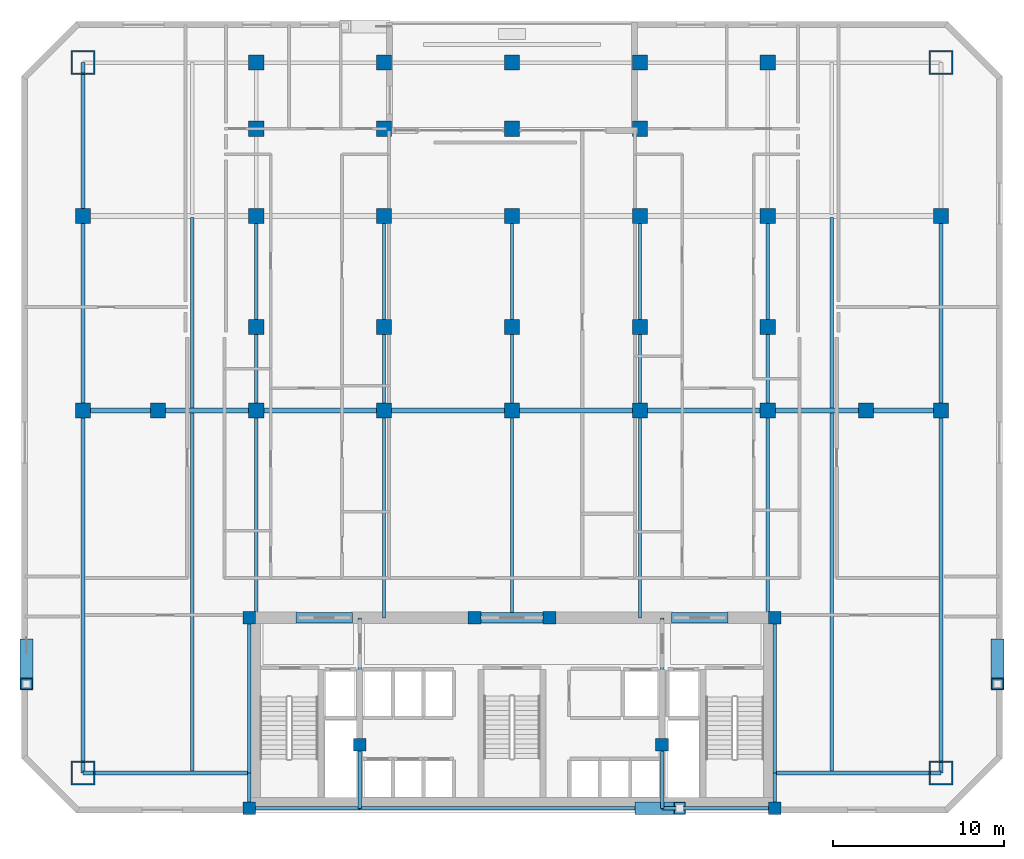
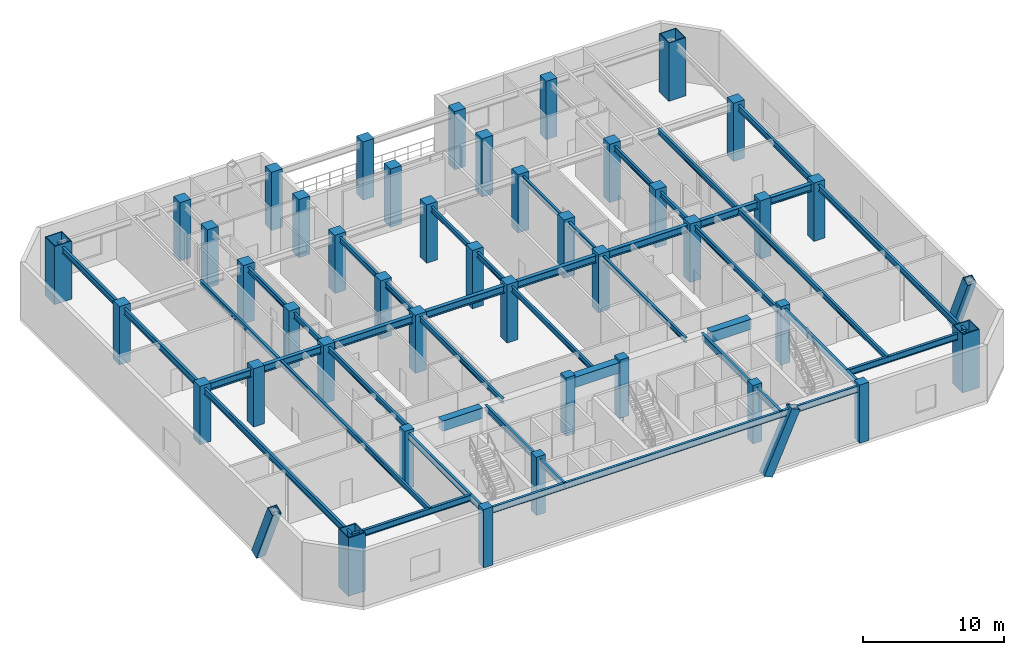
# One storey, part 1 of 12: 43 beams, 42 columns, 3 members.
"""IFC4 building model written with IfcOpenShell, lengths in metres."""

from ifc_helpers import new_model, si_unit, direction, frame, origin, origin_2d, place, context, subcontext, project, spatial, rectangle, hollow_rectangle, i_section, extrude, material, material_profile, profile_set, type_object, element, save


model = new_model("IFC4")

# Units and contexts
model_context = context("Model", 3, precision=1e-05, world=origin(), true_north=direction((0.0, 1.0)))
body_context = subcontext(model_context, "Body", "Model", "MODEL_VIEW")
ifc_project = project(units=[si_unit("LENGTHUNIT", "METRE"), si_unit("AREAUNIT", "SQUARE_METRE"), si_unit("VOLUMEUNIT", "CUBIC_METRE"), si_unit("PLANEANGLEUNIT", "RADIAN"), si_unit("MASSUNIT", "GRAM", prefix="KILO")], contexts=[model_context])

# Site, building, storey
site_placement = place(None, origin())
site = spatial("IfcSite", under=ifc_project, at=site_placement, CompositionType="ELEMENT")
building_placement = place(site_placement, origin())
building = spatial("IfcBuilding", under=site, at=building_placement, Name="Ventersveld Concourse Tower", CompositionType="ELEMENT")
storey_placement = place(building_placement, frame((0.0, 0.0, 76.0)))
storey = spatial("IfcBuildingStorey", under=building, at=storey_placement, Name="L18", CompositionType="ELEMENT", Elevation=76.0)

# Columns
ifc_material_1 = material(Name="Concrete C50/60", Category="concrete")
ifc_material_profile_1 = material_profile(ifc_material_1, rectangle(XDim=0.75, YDim=0.75, at=origin_2d()), Name="RC 750x750")
ifc_profile_set_1 = profile_set([ifc_material_profile_1], Name="Concrete C50/60")
column_type_1 = type_object("IfcColumnType", Name="COL-RC750", PredefinedType="COLUMN", material=ifc_profile_set_1)
for number, where, z_axis, x_axis, name in (
    (1, (13.35009765625, 0.280029296875, 0.0), (0.0, 0.0, 1.0), (1.0, 0.0, 0.0), "L18 Core Spine Column CC-SW"),
    (2, (44.14990234375, 0.280029296875, 0.0), (0.0, 0.0, 1.0), (1.0, 0.0, 0.0), "L18 Core Spine Column CC-SE"),
    (3, (13.35009765625, 11.449951171875, 0.0), (0.0, 0.0, 1.0), (1.0, 0.0, 0.0), "L18 Core Spine Column CC-NW"),
    (4, (44.14990234375, 11.449951171875, 0.0), (0.0, 0.0, 1.0), (1.0, 0.0, 0.0), "L18 Core Spine Column CC-NE"),
    (5, (19.820068359375, 4.0, 0.0), (0.0, 0.0, 1.0), (1.0, 0.0, 0.0), "L18 Core Spine Column CM-1"),
    (6, (37.550048828125, 4.0, 0.0), (0.0, 0.0, 1.0), (1.0, 0.0, 0.0), "L18 Core Spine Column CM-2"),
    (7, (26.550048828125, 11.449951171875, 0.0), (0.0, 0.0, 1.0), (1.0, 0.0, 0.0), "L18 Core Spine Column CM-3"),
    (8, (30.949951171875, 11.449951171875, 0.0), (0.0, 0.0, 1.0), (1.0, 0.0, 0.0), "L18 Core Spine Column CM-4"),
):
    element("IfcColumn", number, at=place(storey_placement, frame(where, z_axis=z_axis, x_axis=x_axis)), inside=storey, type_object=column_type_1, Name=name, PredefinedType="COLUMN", context=body_context, shape_type="SweptSolid", body=[
        extrude(rectangle(XDim=0.75, YDim=0.75, at=origin_2d()), origin(), (0.0, 0.0, 1.0), 5.050048828125),
    ])
ifc_material_2 = material(Name="Concrete C60/75", Category="concrete")
ifc_material_profile_2 = material_profile(ifc_material_2, rectangle(XDim=0.89990234375, YDim=0.89990234375, at=origin_2d()), Name="RC 900x900")
ifc_profile_set_2 = profile_set([ifc_material_profile_2], Name="Concrete C60/75")
column_type_2 = type_object("IfcColumnType", Name="COL-RC900", PredefinedType="COLUMN", material=ifc_profile_set_2)
for number, where, z_axis, x_axis, name in (
    (9, (3.60009765625, 23.60009765625, 0.0), (0.0, 0.0, 1.0), (1.0, 0.0, 0.0), "L18 Interior Gravity Column X=3.60 Y=23.60"),
    (10, (8.0, 23.60009765625, 0.0), (0.0, 0.0, 1.0), (1.0, 0.0, 0.0), "L18 Interior Gravity Column X=8.00 Y=23.60"),
    (11, (13.75, 23.60009765625, 0.0), (0.0, 0.0, 1.0), (1.0, 0.0, 0.0), "L18 Interior Gravity Column X=13.75 Y=23.60"),
    (12, (21.25, 23.60009765625, 0.0), (0.0, 0.0, 1.0), (1.0, 0.0, 0.0), "L18 Interior Gravity Column X=21.25 Y=23.60"),
    (13, (28.75, 23.60009765625, 0.0), (0.0, 0.0, 1.0), (1.0, 0.0, 0.0), "L18 Interior Gravity Column X=28.75 Y=23.60"),
    (14, (36.25, 23.60009765625, 0.0), (0.0, 0.0, 1.0), (1.0, 0.0, 0.0), "L18 Interior Gravity Column X=36.25 Y=23.60"),
    (15, (43.75, 23.60009765625, 0.0), (0.0, 0.0, 1.0), (1.0, 0.0, 0.0), "L18 Interior Gravity Column X=43.75 Y=23.60"),
    (16, (49.5, 23.60009765625, 0.0), (0.0, 0.0, 1.0), (1.0, 0.0, 0.0), "L18 Interior Gravity Column X=49.50 Y=23.60"),
    (17, (53.89990234375, 23.60009765625, 0.0), (0.0, 0.0, 1.0), (1.0, 0.0, 0.0), "L18 Interior Gravity Column X=53.90 Y=23.60"),
    (18, (13.75, 28.5, 0.0), (0.0, 0.0, 1.0), (1.0, 0.0, 0.0), "L18 Upper-North Gravity Column X=13.75 Y=28.50"),
    (19, (21.25, 28.5, 0.0), (0.0, 0.0, 1.0), (1.0, 0.0, 0.0), "L18 Upper-North Gravity Column X=21.25 Y=28.50"),
    (20, (28.75, 28.5, 0.0), (0.0, 0.0, 1.0), (1.0, 0.0, 0.0), "L18 Upper-North Gravity Column X=28.75 Y=28.50"),
    (21, (36.25, 28.5, 0.0), (0.0, 0.0, 1.0), (1.0, 0.0, 0.0), "L18 Upper-North Gravity Column X=36.25 Y=28.50"),
    (22, (43.75, 28.5, 0.0), (0.0, 0.0, 1.0), (1.0, 0.0, 0.0), "L18 Upper-North Gravity Column X=43.75 Y=28.50"),
    (23, (3.60009765625, 35.0, 0.0), (0.0, 0.0, 1.0), (1.0, 0.0, 0.0), "L18 Flank Column X=3.60 Y=35.00"),
    (24, (53.89990234375, 35.0, 0.0), (0.0, 0.0, 1.0), (1.0, 0.0, 0.0), "L18 Flank Column X=53.90 Y=35.00"),
    (25, (13.75, 44.0, 0.0), (0.0, 0.0, 1.0), (1.0, 0.0, 0.0), "L18 North Perimeter Column X=13.75 Y=44.00"),
    (26, (21.25, 44.0, 0.0), (0.0, 0.0, 1.0), (1.0, 0.0, 0.0), "L18 North Perimeter Column X=21.25 Y=44.00"),
    (27, (28.75, 44.0, 0.0), (0.0, 0.0, 1.0), (1.0, 0.0, 0.0), "L18 North Perimeter Column X=28.75 Y=44.00"),
    (28, (36.25, 44.0, 0.0), (0.0, 0.0, 1.0), (1.0, 0.0, 0.0), "L18 North Perimeter Column X=36.25 Y=44.00"),
    (29, (43.75, 44.0, 0.0), (0.0, 0.0, 1.0), (1.0, 0.0, 0.0), "L18 North Perimeter Column X=43.75 Y=44.00"),
    (30, (13.75, 40.1201171875, 0.0), (0.0, 0.0, 1.0), (1.0, 0.0, 0.0), "L18 North Brace Node Column X=13.75 Y=40.12"),
    (31, (21.25, 40.1201171875, 0.0), (0.0, 0.0, 1.0), (1.0, 0.0, 0.0), "L18 North Brace Node Column X=21.25 Y=40.12"),
    (32, (28.75, 40.1201171875, 0.0), (0.0, 0.0, 1.0), (1.0, 0.0, 0.0), "L18 North Brace Node Column X=28.75 Y=40.12"),
    (33, (36.25, 40.1201171875, 0.0), (0.0, 0.0, 1.0), (1.0, 0.0, 0.0), "L18 North Brace Node Column X=36.25 Y=40.12"),
    (34, (13.75, 35.0, 0.0), (0.0, 0.0, 1.0), (1.0, 0.0, 0.0), "L18 Mid-North Column X=13.75 Y=35.00"),
    (35, (21.25, 35.0, 0.0), (0.0, 0.0, 1.0), (1.0, 0.0, 0.0), "L18 Mid-North Column X=21.25 Y=35.00"),
    (36, (28.75, 35.0, 0.0), (0.0, 0.0, 1.0), (1.0, 0.0, 0.0), "L18 Mid-North Column X=28.75 Y=35.00"),
    (37, (36.25, 35.0, 0.0), (0.0, 0.0, 1.0), (1.0, 0.0, 0.0), "L18 Mid-North Column X=36.25 Y=35.00"),
    (38, (43.75, 35.0, 0.0), (0.0, 0.0, 1.0), (1.0, 0.0, 0.0), "L18 Mid-North Column X=43.75 Y=35.00"),
):
    element("IfcColumn", number, at=place(storey_placement, frame(where, z_axis=z_axis, x_axis=x_axis)), inside=storey, type_object=column_type_2, Name=name, PredefinedType="COLUMN", context=body_context, shape_type="SweptSolid", body=[
        extrude(rectangle(XDim=0.89990234375, YDim=0.89990234375, at=origin_2d()), origin(), (0.0, 0.0, 1.0), 5.050048828125),
    ])
ifc_material_3 = material(Name="Structural steel S460ML", Category="steel")
ifc_material_profile_3 = material_profile(ifc_material_3, hollow_rectangle(XDim=1.39990234375, YDim=1.39990234375, WallThickness=0.080078125, at=origin_2d()), Name="BOX 1400x1400x80")
ifc_profile_set_3 = profile_set([ifc_material_profile_3], Name="Structural steel S460ML")
column_type_3 = type_object("IfcColumnType", Name="MC-1400", PredefinedType="USERDEFINED", material=ifc_profile_set_3)
for number, where, z_axis, x_axis, name in (
    (39, (3.60009765625, 2.35009765625, 0.0), (0.0, 0.0, 1.0), (1.0, 0.0, 0.0), "L18 Corner Mega-Column MC-SW"),
    (40, (53.89990234375, 2.35009765625, 0.0), (0.0, 0.0, 1.0), (1.0, 0.0, 0.0), "L18 Corner Mega-Column MC-SE"),
    (41, (53.89990234375, 44.0, 0.0), (0.0, 0.0, 1.0), (1.0, 0.0, 0.0), "L18 Corner Mega-Column MC-NE"),
    (42, (3.60009765625, 44.0, 0.0), (0.0, 0.0, 1.0), (1.0, 0.0, 0.0), "L18 Corner Mega-Column MC-NW"),
):
    element("IfcColumn", number, at=place(storey_placement, frame(where, z_axis=z_axis, x_axis=x_axis)), inside=storey, type_object=column_type_3, Name=name, ObjectType="MEGA_COLUMN", PredefinedType="USERDEFINED", context=body_context, shape_type="SweptSolid", body=[
        extrude(hollow_rectangle(XDim=1.39990234375, YDim=1.39990234375, WallThickness=0.080078125, at=origin_2d()), origin(), (0.0, 0.0, 1.0), 5.050048828125),
    ])

# Beams
ifc_material_4 = material(Name="Structural steel S355J2", Category="steel")
ifc_material_profile_4 = material_profile(ifc_material_4, i_section(OverallWidth=0.19140625, OverallDepth=0.4599609375, WebThickness=0.010009765625, FlangeThickness=0.01611328125, FilletRadius=0.01025390625, at=origin_2d()), Name="UB 457x191x82")
ifc_profile_set_4 = profile_set([ifc_material_profile_4], Name="Structural steel S355J2")
beam_type_1 = type_object("IfcBeamType", Name="BM-UB457H", PredefinedType="BEAM", material=ifc_profile_set_4)
beam_1_placement = place(storey_placement, frame((10.0, 2.35009765625, 4.570068359375), z_axis=(0.0, 1.0, 0.0), x_axis=(-1.0, 0.0, 0.0)))
element("IfcBeam", 43, at=beam_1_placement, inside=storey, type_object=beam_type_1, Name="L18 N-S Composite Floor Beam South X=10.00", PredefinedType="BEAM", context=body_context, shape_type="SweptSolid", body=[
    extrude(i_section(OverallWidth=0.19140625, OverallDepth=0.4599609375, WebThickness=0.010009765625, FlangeThickness=0.01611328125, FilletRadius=0.01025390625, at=origin_2d()), origin(), (0.0, 0.0, 1.0), 21.15478515625),
])
beam_2_placement = place(storey_placement, frame((10.0, 23.695068359375, 4.570068359375), z_axis=(0.0, 1.0, 0.0), x_axis=(-1.0, 0.0, 0.0)))
element("IfcBeam", 44, at=beam_2_placement, inside=storey, type_object=beam_type_1, Name="L18 N-S Composite Floor Beam Mid X=10.00", PredefinedType="BEAM", context=body_context, shape_type="SweptSolid", body=[
    extrude(i_section(OverallWidth=0.19140625, OverallDepth=0.4599609375, WebThickness=0.010009765625, FlangeThickness=0.01611328125, FilletRadius=0.01025390625, at=origin_2d()), origin(), (0.0, 0.0, 1.0), 11.2099609375),
])
beam_3_placement = place(storey_placement, frame((13.75, 11.449951171875, 4.570068359375), z_axis=(0.0, 1.0, 0.0), x_axis=(-1.0, 0.0, 0.0)))
element("IfcBeam", 45, at=beam_3_placement, inside=storey, type_object=beam_type_1, Name="L18 N-S Composite Floor Beam South X=13.75", PredefinedType="BEAM", context=body_context, shape_type="SweptSolid", body=[
    extrude(i_section(OverallWidth=0.19140625, OverallDepth=0.4599609375, WebThickness=0.010009765625, FlangeThickness=0.01611328125, FilletRadius=0.01025390625, at=origin_2d()), origin(), (0.0, 0.0, 1.0), 12.150146484375),
])
beam_4_placement = place(storey_placement, frame((13.75, 23.60009765625, 4.570068359375), z_axis=(0.0, 1.0, 0.0), x_axis=(-1.0, 0.0, 0.0)))
element("IfcBeam", 46, at=beam_4_placement, inside=storey, type_object=beam_type_1, Name="L18 N-S Composite Floor Beam Mid X=13.75", PredefinedType="BEAM", context=body_context, shape_type="SweptSolid", body=[
    extrude(i_section(OverallWidth=0.19140625, OverallDepth=0.4599609375, WebThickness=0.010009765625, FlangeThickness=0.01611328125, FilletRadius=0.01025390625, at=origin_2d()), origin(), (0.0, 0.0, 1.0), 11.39990234375),
])
beam_5_placement = place(storey_placement, frame((21.25, 11.449951171875, 4.570068359375), z_axis=(0.0, 1.0, 0.0), x_axis=(-1.0, 0.0, 0.0)))
element("IfcBeam", 47, at=beam_5_placement, inside=storey, type_object=beam_type_1, Name="L18 N-S Composite Floor Beam South X=21.25", PredefinedType="BEAM", context=body_context, shape_type="SweptSolid", body=[
    extrude(i_section(OverallWidth=0.19140625, OverallDepth=0.4599609375, WebThickness=0.010009765625, FlangeThickness=0.01611328125, FilletRadius=0.01025390625, at=origin_2d()), origin(), (0.0, 0.0, 1.0), 12.150146484375),
])
beam_6_placement = place(storey_placement, frame((21.25, 23.60009765625, 4.570068359375), z_axis=(0.0, 1.0, 0.0), x_axis=(-1.0, 0.0, 0.0)))
element("IfcBeam", 48, at=beam_6_placement, inside=storey, type_object=beam_type_1, Name="L18 N-S Composite Floor Beam Mid X=21.25", PredefinedType="BEAM", context=body_context, shape_type="SweptSolid", body=[
    extrude(i_section(OverallWidth=0.19140625, OverallDepth=0.4599609375, WebThickness=0.010009765625, FlangeThickness=0.01611328125, FilletRadius=0.01025390625, at=origin_2d()), origin(), (0.0, 0.0, 1.0), 11.39990234375),
])
beam_7_placement = place(storey_placement, frame((28.75, 11.449951171875, 4.570068359375), z_axis=(0.0, 1.0, 0.0), x_axis=(-1.0, 0.0, 0.0)))
element("IfcBeam", 49, at=beam_7_placement, inside=storey, type_object=beam_type_1, Name="L18 N-S Composite Floor Beam South X=28.75", PredefinedType="BEAM", context=body_context, shape_type="SweptSolid", body=[
    extrude(i_section(OverallWidth=0.19140625, OverallDepth=0.4599609375, WebThickness=0.010009765625, FlangeThickness=0.01611328125, FilletRadius=0.01025390625, at=origin_2d()), origin(), (0.0, 0.0, 1.0), 12.150146484375),
])
beam_8_placement = place(storey_placement, frame((28.75, 23.60009765625, 4.570068359375), z_axis=(0.0, 1.0, 0.0), x_axis=(-1.0, 0.0, 0.0)))
element("IfcBeam", 50, at=beam_8_placement, inside=storey, type_object=beam_type_1, Name="L18 N-S Composite Floor Beam Mid X=28.75", PredefinedType="BEAM", context=body_context, shape_type="SweptSolid", body=[
    extrude(i_section(OverallWidth=0.19140625, OverallDepth=0.4599609375, WebThickness=0.010009765625, FlangeThickness=0.01611328125, FilletRadius=0.01025390625, at=origin_2d()), origin(), (0.0, 0.0, 1.0), 11.39990234375),
])
beam_9_placement = place(storey_placement, frame((36.25, 11.449951171875, 4.570068359375), z_axis=(0.0, 1.0, 0.0), x_axis=(-1.0, 0.0, 0.0)))
element("IfcBeam", 51, at=beam_9_placement, inside=storey, type_object=beam_type_1, Name="L18 N-S Composite Floor Beam South X=36.25", PredefinedType="BEAM", context=body_context, shape_type="SweptSolid", body=[
    extrude(i_section(OverallWidth=0.19140625, OverallDepth=0.4599609375, WebThickness=0.010009765625, FlangeThickness=0.01611328125, FilletRadius=0.01025390625, at=origin_2d()), origin(), (0.0, 0.0, 1.0), 12.150146484375),
])
beam_10_placement = place(storey_placement, frame((36.25, 23.60009765625, 4.570068359375), z_axis=(0.0, 1.0, 0.0), x_axis=(-1.0, 0.0, 0.0)))
element("IfcBeam", 52, at=beam_10_placement, inside=storey, type_object=beam_type_1, Name="L18 N-S Composite Floor Beam Mid X=36.25", PredefinedType="BEAM", context=body_context, shape_type="SweptSolid", body=[
    extrude(i_section(OverallWidth=0.19140625, OverallDepth=0.4599609375, WebThickness=0.010009765625, FlangeThickness=0.01611328125, FilletRadius=0.01025390625, at=origin_2d()), origin(), (0.0, 0.0, 1.0), 11.39990234375),
])
beam_11_placement = place(storey_placement, frame((43.75, 11.449951171875, 4.570068359375), z_axis=(0.0, 1.0, 0.0), x_axis=(-1.0, 0.0, 0.0)))
element("IfcBeam", 53, at=beam_11_placement, inside=storey, type_object=beam_type_1, Name="L18 N-S Composite Floor Beam South X=43.75", PredefinedType="BEAM", context=body_context, shape_type="SweptSolid", body=[
    extrude(i_section(OverallWidth=0.19140625, OverallDepth=0.4599609375, WebThickness=0.010009765625, FlangeThickness=0.01611328125, FilletRadius=0.01025390625, at=origin_2d()), origin(), (0.0, 0.0, 1.0), 12.150146484375),
])
beam_12_placement = place(storey_placement, frame((43.75, 23.60009765625, 4.570068359375), z_axis=(0.0, 1.0, 0.0), x_axis=(-1.0, 0.0, 0.0)))
element("IfcBeam", 54, at=beam_12_placement, inside=storey, type_object=beam_type_1, Name="L18 N-S Composite Floor Beam Mid X=43.75", PredefinedType="BEAM", context=body_context, shape_type="SweptSolid", body=[
    extrude(i_section(OverallWidth=0.19140625, OverallDepth=0.4599609375, WebThickness=0.010009765625, FlangeThickness=0.01611328125, FilletRadius=0.01025390625, at=origin_2d()), origin(), (0.0, 0.0, 1.0), 11.39990234375),
])
beam_13_placement = place(storey_placement, frame((47.5, 2.35009765625, 4.570068359375), z_axis=(0.0, 1.0, 0.0), x_axis=(-1.0, 0.0, 0.0)))
element("IfcBeam", 55, at=beam_13_placement, inside=storey, type_object=beam_type_1, Name="L18 N-S Composite Floor Beam South X=47.50", PredefinedType="BEAM", context=body_context, shape_type="SweptSolid", body=[
    extrude(i_section(OverallWidth=0.19140625, OverallDepth=0.4599609375, WebThickness=0.010009765625, FlangeThickness=0.01611328125, FilletRadius=0.01025390625, at=origin_2d()), origin(), (0.0, 0.0, 1.0), 21.15478515625),
])
beam_14_placement = place(storey_placement, frame((47.5, 23.695068359375, 4.570068359375), z_axis=(0.0, 1.0, 0.0), x_axis=(-1.0, 0.0, 0.0)))
element("IfcBeam", 56, at=beam_14_placement, inside=storey, type_object=beam_type_1, Name="L18 N-S Composite Floor Beam Mid X=47.50", PredefinedType="BEAM", context=body_context, shape_type="SweptSolid", body=[
    extrude(i_section(OverallWidth=0.19140625, OverallDepth=0.4599609375, WebThickness=0.010009765625, FlangeThickness=0.01611328125, FilletRadius=0.01025390625, at=origin_2d()), origin(), (0.0, 0.0, 1.0), 11.2099609375),
])
ifc_material_profile_5 = material_profile(ifc_material_2, rectangle(XDim=0.60009765625, YDim=0.89990234375, at=origin_2d()), Name="RC 600x900")
ifc_profile_set_5 = profile_set([ifc_material_profile_5], Name="Concrete C60/75")
beam_type_2 = type_object("IfcBeamType", Name="CB-RC600x900L", PredefinedType="LINTEL", material=ifc_profile_set_5)
beam_15_placement = place(storey_placement, frame((16.10009765625, 11.449951171875, 4.35009765625), z_axis=(1.0, 0.0, 0.0), x_axis=(0.0, 1.0, 0.0)))
element("IfcBeam", 57, at=beam_15_placement, inside=storey, type_object=beam_type_2, Name="L18 Core Coupling Lintel Beam 1", PredefinedType="LINTEL", context=body_context, shape_type="SweptSolid", body=[
    extrude(rectangle(XDim=0.60009765625, YDim=0.89990234375, at=origin_2d()), origin(), (0.0, 0.0, 1.0), 3.2998046875),
])
beam_16_placement = place(storey_placement, frame((26.5, 11.449951171875, 4.35009765625), z_axis=(1.0, 0.0, 0.0), x_axis=(0.0, 1.0, 0.0)))
element("IfcBeam", 58, at=beam_16_placement, inside=storey, type_object=beam_type_2, Name="L18 Core Coupling Lintel Beam 2", PredefinedType="LINTEL", context=body_context, shape_type="SweptSolid", body=[
    extrude(rectangle(XDim=0.60009765625, YDim=0.89990234375, at=origin_2d()), origin(), (0.0, 0.0, 1.0), 4.5),
])
beam_17_placement = place(storey_placement, frame((38.10009765625, 11.449951171875, 4.35009765625), z_axis=(1.0, 0.0, 0.0), x_axis=(0.0, 1.0, 0.0)))
element("IfcBeam", 59, at=beam_17_placement, inside=storey, type_object=beam_type_2, Name="L18 Core Coupling Lintel Beam 3", PredefinedType="LINTEL", context=body_context, shape_type="SweptSolid", body=[
    extrude(rectangle(XDim=0.60009765625, YDim=0.89990234375, at=origin_2d()), origin(), (0.0, 0.0, 1.0), 3.2998046875),
])
ifc_material_profile_6 = material_profile(ifc_material_4, i_section(OverallWidth=0.2119140625, OverallDepth=0.54443359375, WebThickness=0.0126953125, FlangeThickness=0.021240234375, FilletRadius=0.0126953125, at=origin_2d()), Name="UB 533x210x122")
ifc_profile_set_6 = profile_set([ifc_material_profile_6], Name="Structural steel S355J2")
beam_type_3 = type_object("IfcBeamType", Name="GRD-UB533H", PredefinedType="T_BEAM", material=ifc_profile_set_6)
beam_18_placement = place(storey_placement, frame((13.35009765625, 0.280029296875, 4.527587890625), z_axis=(0.0, 1.0, 0.0), x_axis=(-1.0, 0.0, 0.0)))
element("IfcBeam", 60, at=beam_18_placement, inside=storey, type_object=beam_type_3, Name="L18 Core West Tie Beam S", PredefinedType="T_BEAM", context=body_context, shape_type="SweptSolid", body=[
    extrude(i_section(OverallWidth=0.2119140625, OverallDepth=0.54443359375, WebThickness=0.0126953125, FlangeThickness=0.021240234375, FilletRadius=0.0126953125, at=origin_2d()), origin(), (0.0, 0.0, 1.0), 2.070068359375),
])
beam_19_placement = place(storey_placement, frame((13.35009765625, 2.35009765625, 4.527587890625), z_axis=(0.0, 1.0, 0.0), x_axis=(-1.0, 0.0, 0.0)))
element("IfcBeam", 61, at=beam_19_placement, inside=storey, type_object=beam_type_3, Name="L18 Core West Tie Beam N", PredefinedType="T_BEAM", context=body_context, shape_type="SweptSolid", body=[
    extrude(i_section(OverallWidth=0.2119140625, OverallDepth=0.54443359375, WebThickness=0.0126953125, FlangeThickness=0.021240234375, FilletRadius=0.0126953125, at=origin_2d()), origin(), (0.0, 0.0, 1.0), 9.099853515625),
])
beam_20_placement = place(storey_placement, frame((44.14990234375, 0.280029296875, 4.527587890625), z_axis=(0.0, 1.0, 0.0), x_axis=(-1.0, 0.0, 0.0)))
element("IfcBeam", 62, at=beam_20_placement, inside=storey, type_object=beam_type_3, Name="L18 Core East Tie Beam S", PredefinedType="T_BEAM", context=body_context, shape_type="SweptSolid", body=[
    extrude(i_section(OverallWidth=0.2119140625, OverallDepth=0.54443359375, WebThickness=0.0126953125, FlangeThickness=0.021240234375, FilletRadius=0.0126953125, at=origin_2d()), origin(), (0.0, 0.0, 1.0), 2.070068359375),
])
beam_21_placement = place(storey_placement, frame((44.14990234375, 2.35009765625, 4.527587890625), z_axis=(0.0, 1.0, 0.0), x_axis=(-1.0, 0.0, 0.0)))
element("IfcBeam", 63, at=beam_21_placement, inside=storey, type_object=beam_type_3, Name="L18 Core East Tie Beam N", PredefinedType="T_BEAM", context=body_context, shape_type="SweptSolid", body=[
    extrude(i_section(OverallWidth=0.2119140625, OverallDepth=0.54443359375, WebThickness=0.0126953125, FlangeThickness=0.021240234375, FilletRadius=0.0126953125, at=origin_2d()), origin(), (0.0, 0.0, 1.0), 9.099853515625),
])
beam_22_placement = place(storey_placement, frame((13.35009765625, 0.280029296875, 4.527587890625), z_axis=(1.0, 0.0, 0.0), x_axis=(0.0, 1.0, 0.0)))
element("IfcBeam", 64, at=beam_22_placement, inside=storey, type_object=beam_type_3, Name="L18 Core South Tie Beam W", PredefinedType="T_BEAM", context=body_context, shape_type="SweptSolid", body=[
    extrude(i_section(OverallWidth=0.2119140625, OverallDepth=0.54443359375, WebThickness=0.0126953125, FlangeThickness=0.021240234375, FilletRadius=0.0126953125, at=origin_2d()), origin(), (0.0, 0.0, 1.0), 6.469970703125),
])
beam_23_placement = place(storey_placement, frame((19.820068359375, 0.280029296875, 4.527587890625), z_axis=(1.0, 0.0, 0.0), x_axis=(0.0, 1.0, 0.0)))
element("IfcBeam", 65, at=beam_23_placement, inside=storey, type_object=beam_type_3, Name="L18 Core South Tie Beam C", PredefinedType="T_BEAM", context=body_context, shape_type="SweptSolid", body=[
    extrude(i_section(OverallWidth=0.2119140625, OverallDepth=0.54443359375, WebThickness=0.0126953125, FlangeThickness=0.021240234375, FilletRadius=0.0126953125, at=origin_2d()), origin(), (0.0, 0.0, 1.0), 17.72998046875),
])
beam_24_placement = place(storey_placement, frame((37.550048828125, 0.280029296875, 4.527587890625), z_axis=(1.0, 0.0, 0.0), x_axis=(0.0, 1.0, 0.0)))
element("IfcBeam", 66, at=beam_24_placement, inside=storey, type_object=beam_type_3, Name="L18 Core South Tie Beam E", PredefinedType="T_BEAM", context=body_context, shape_type="SweptSolid", body=[
    extrude(i_section(OverallWidth=0.2119140625, OverallDepth=0.54443359375, WebThickness=0.0126953125, FlangeThickness=0.021240234375, FilletRadius=0.0126953125, at=origin_2d()), origin(), (0.0, 0.0, 1.0), 6.599853515625),
])
beam_25_placement = place(storey_placement, frame((19.820068359375, 0.280029296875, 4.527587890625), z_axis=(0.0, 1.0, 0.0), x_axis=(-1.0, 0.0, 0.0)))
element("IfcBeam", 67, at=beam_25_placement, inside=storey, type_object=beam_type_3, Name="L18 Core Spine N-S Tie Beam W1", PredefinedType="T_BEAM", context=body_context, shape_type="SweptSolid", body=[
    extrude(i_section(OverallWidth=0.2119140625, OverallDepth=0.54443359375, WebThickness=0.0126953125, FlangeThickness=0.021240234375, FilletRadius=0.0126953125, at=origin_2d()), origin(), (0.0, 0.0, 1.0), 3.719970703125),
])
beam_26_placement = place(storey_placement, frame((19.820068359375, 4.0, 4.527587890625), z_axis=(0.0, 1.0, 0.0), x_axis=(-1.0, 0.0, 0.0)))
element("IfcBeam", 68, at=beam_26_placement, inside=storey, type_object=beam_type_3, Name="L18 Core Spine N-S Tie Beam W2", PredefinedType="T_BEAM", context=body_context, shape_type="SweptSolid", body=[
    extrude(i_section(OverallWidth=0.2119140625, OverallDepth=0.54443359375, WebThickness=0.0126953125, FlangeThickness=0.021240234375, FilletRadius=0.0126953125, at=origin_2d()), origin(), (0.0, 0.0, 1.0), 7.449951171875),
])
beam_27_placement = place(storey_placement, frame((37.550048828125, 0.280029296875, 4.527587890625), z_axis=(0.0, 1.0, 0.0), x_axis=(-1.0, 0.0, 0.0)))
element("IfcBeam", 69, at=beam_27_placement, inside=storey, type_object=beam_type_3, Name="L18 Core Spine N-S Tie Beam E1", PredefinedType="T_BEAM", context=body_context, shape_type="SweptSolid", body=[
    extrude(i_section(OverallWidth=0.2119140625, OverallDepth=0.54443359375, WebThickness=0.0126953125, FlangeThickness=0.021240234375, FilletRadius=0.0126953125, at=origin_2d()), origin(), (0.0, 0.0, 1.0), 3.719970703125),
])
beam_28_placement = place(storey_placement, frame((37.550048828125, 4.0, 4.527587890625), z_axis=(0.0, 1.0, 0.0), x_axis=(-1.0, 0.0, 0.0)))
element("IfcBeam", 70, at=beam_28_placement, inside=storey, type_object=beam_type_3, Name="L18 Core Spine N-S Tie Beam E2", PredefinedType="T_BEAM", context=body_context, shape_type="SweptSolid", body=[
    extrude(i_section(OverallWidth=0.2119140625, OverallDepth=0.54443359375, WebThickness=0.0126953125, FlangeThickness=0.021240234375, FilletRadius=0.0126953125, at=origin_2d()), origin(), (0.0, 0.0, 1.0), 7.449951171875),
])
ifc_material_profile_7 = material_profile(ifc_material_4, i_section(OverallWidth=0.311279296875, OverallDepth=0.6357421875, WebThickness=0.018310546875, FlangeThickness=0.031494140625, FilletRadius=0.0166015625, at=origin_2d()), Name="UB 610x305x238")
ifc_profile_set_7 = profile_set([ifc_material_profile_7], Name="Structural steel S355J2")
beam_type_4 = type_object("IfcBeamType", Name="GRD-UB610H", PredefinedType="USERDEFINED", material=ifc_profile_set_7)
beam_29_placement = place(storey_placement, frame((3.60009765625, 23.60009765625, 4.482177734375), z_axis=(1.0, 0.0, 0.0), x_axis=(0.0, 1.0, 0.0)))
element("IfcBeam", 71, at=beam_29_placement, inside=storey, type_object=beam_type_4, Name="L18 Primary E-W Grid Girder Y=23.60 #1", ObjectType="GIRDER", PredefinedType="USERDEFINED", context=body_context, shape_type="SweptSolid", body=[
    extrude(i_section(OverallWidth=0.311279296875, OverallDepth=0.6357421875, WebThickness=0.018310546875, FlangeThickness=0.031494140625, FilletRadius=0.0166015625, at=origin_2d()), origin(), (0.0, 0.0, 1.0), 4.39990234375),
])
beam_30_placement = place(storey_placement, frame((8.0, 23.60009765625, 4.482177734375), z_axis=(1.0, 0.0, 0.0), x_axis=(0.0, 1.0, 0.0)))
element("IfcBeam", 72, at=beam_30_placement, inside=storey, type_object=beam_type_4, Name="L18 Primary E-W Grid Girder Y=23.60 #2", ObjectType="GIRDER", PredefinedType="USERDEFINED", context=body_context, shape_type="SweptSolid", body=[
    extrude(i_section(OverallWidth=0.311279296875, OverallDepth=0.6357421875, WebThickness=0.018310546875, FlangeThickness=0.031494140625, FilletRadius=0.0166015625, at=origin_2d()), origin(), (0.0, 0.0, 1.0), 5.75),
])
for number, where, z_axis, x_axis, name in (
    (73, (13.75, 23.60009765625, 4.482177734375), (1.0, 0.0, 0.0), (0.0, 1.0, 0.0), "L18 Primary E-W Grid Girder Y=23.60 #3"),
    (74, (21.25, 23.60009765625, 4.482177734375), (1.0, 0.0, 0.0), (0.0, 1.0, 0.0), "L18 Primary E-W Grid Girder Y=23.60 #4"),
    (75, (28.75, 23.60009765625, 4.482177734375), (1.0, 0.0, 0.0), (0.0, 1.0, 0.0), "L18 Primary E-W Grid Girder Y=23.60 #5"),
    (76, (36.25, 23.60009765625, 4.482177734375), (1.0, 0.0, 0.0), (0.0, 1.0, 0.0), "L18 Primary E-W Grid Girder Y=23.60 #6"),
):
    element("IfcBeam", number, at=place(storey_placement, frame(where, z_axis=z_axis, x_axis=x_axis)), inside=storey, type_object=beam_type_4, Name=name, ObjectType="GIRDER", PredefinedType="USERDEFINED", context=body_context, shape_type="SweptSolid", body=[
        extrude(i_section(OverallWidth=0.311279296875, OverallDepth=0.6357421875, WebThickness=0.018310546875, FlangeThickness=0.031494140625, FilletRadius=0.0166015625, at=origin_2d()), origin(), (0.0, 0.0, 1.0), 7.5),
    ])
beam_31_placement = place(storey_placement, frame((43.75, 23.60009765625, 4.482177734375), z_axis=(1.0, 0.0, 0.0), x_axis=(0.0, 1.0, 0.0)))
element("IfcBeam", 77, at=beam_31_placement, inside=storey, type_object=beam_type_4, Name="L18 Primary E-W Grid Girder Y=23.60 #7", ObjectType="GIRDER", PredefinedType="USERDEFINED", context=body_context, shape_type="SweptSolid", body=[
    extrude(i_section(OverallWidth=0.311279296875, OverallDepth=0.6357421875, WebThickness=0.018310546875, FlangeThickness=0.031494140625, FilletRadius=0.0166015625, at=origin_2d()), origin(), (0.0, 0.0, 1.0), 5.75),
])
beam_32_placement = place(storey_placement, frame((49.5, 23.60009765625, 4.482177734375), z_axis=(1.0, 0.0, 0.0), x_axis=(0.0, 1.0, 0.0)))
element("IfcBeam", 78, at=beam_32_placement, inside=storey, type_object=beam_type_4, Name="L18 Primary E-W Grid Girder Y=23.60 #8", ObjectType="GIRDER", PredefinedType="USERDEFINED", context=body_context, shape_type="SweptSolid", body=[
    extrude(i_section(OverallWidth=0.311279296875, OverallDepth=0.6357421875, WebThickness=0.018310546875, FlangeThickness=0.031494140625, FilletRadius=0.0166015625, at=origin_2d()), origin(), (0.0, 0.0, 1.0), 4.39990234375),
])

# Members
ifc_material_5 = material(Name="Structural steel S355ML", Category="steel")
ifc_material_profile_8 = material_profile(ifc_material_5, hollow_rectangle(XDim=0.75, YDim=0.75, WallThickness=0.044921875, at=origin_2d()), Name="BOX 750x750x45")
ifc_profile_set_8 = profile_set([ifc_material_profile_8], Name="Structural steel S355ML")
member_type = type_object("IfcMemberType", Name="MB-750x750", PredefinedType="BRACE", material=ifc_profile_set_8)
member_placement = place(storey_placement, frame((36.300048828125, 0.280029296875, -0.280029296875), z_axis=(0.409686453859, 0.0, 0.912226402558), x_axis=(0.0, 1.0, 0.0)))
element("IfcMember", 79, at=member_placement, inside=storey, type_object=member_type, Name="L18 Exterior Mega-Brace S (Module M04)", PredefinedType="BRACE", context=body_context, shape_type="SweptSolid", body=[
    extrude(hollow_rectangle(XDim=0.75, YDim=0.75, WallThickness=0.044921875, at=origin_2d()), origin(), (0.0, 0.0, 1.0), 5.56884765625),
])
for number, where, z_axis, x_axis, name in (
    (80, (0.280029296875, 9.85009765625, -0.280029296875), (0.0, -0.409722934787, 0.912210017874), (1.0, 0.0, 0.0), "L18 Exterior Mega-Brace W (Module M04)"),
    (81, (57.219970703125, 9.85009765625, -0.280029296875), (0.0, -0.409722934787, 0.912210017874), (1.0, 0.0, 0.0), "L18 Exterior Mega-Brace E (Module M04)"),
):
    element("IfcMember", number, at=place(storey_placement, frame(where, z_axis=z_axis, x_axis=x_axis)), inside=storey, type_object=member_type, Name=name, PredefinedType="BRACE", context=body_context, shape_type="SweptSolid", body=[
        extrude(hollow_rectangle(XDim=0.75, YDim=0.75, WallThickness=0.044921875, at=origin_2d()), origin(), (0.0, 0.0, 1.0), 5.569091796875),
    ])

# Beams
ifc_material_profile_9 = material_profile(ifc_material_4, i_section(OverallWidth=0.2119140625, OverallDepth=0.54443359375, WebThickness=0.0126953125, FlangeThickness=0.021240234375, FilletRadius=0.0126953125, at=origin_2d()), Name="UB 533x210x122")
ifc_profile_set_9 = profile_set([ifc_material_profile_9], Name="Structural steel S355J2")
beam_type_5 = type_object("IfcBeamType", Name="SPD-UB533", PredefinedType="SPANDREL", material=ifc_profile_set_9)
for number, where, z_axis, x_axis, name in (
    (82, (3.60009765625, 2.35009765625, 4.527587890625), (1.0, 0.0, 0.0), (0.0, 1.0, 0.0), "L18 SW Spandrel Beam"),
    (83, (44.14990234375, 2.35009765625, 4.527587890625), (1.0, 0.0, 0.0), (0.0, 1.0, 0.0), "L18 SE Spandrel Beam"),
):
    element("IfcBeam", number, at=place(storey_placement, frame(where, z_axis=z_axis, x_axis=x_axis)), inside=storey, type_object=beam_type_5, Name=name, PredefinedType="SPANDREL", context=body_context, shape_type="SweptSolid", body=[
        extrude(i_section(OverallWidth=0.2119140625, OverallDepth=0.54443359375, WebThickness=0.0126953125, FlangeThickness=0.021240234375, FilletRadius=0.0126953125, at=origin_2d()), origin(), (0.0, 0.0, 1.0), 9.75),
    ])
beam_33_placement = place(storey_placement, frame((3.60009765625, 2.35009765625, 4.527587890625), z_axis=(0.0, 1.0, 0.0), x_axis=(-1.0, 0.0, 0.0)))
element("IfcBeam", 84, at=beam_33_placement, inside=storey, type_object=beam_type_5, Name="L18 West Spandrel Beam S", PredefinedType="SPANDREL", context=body_context, shape_type="SweptSolid", body=[
    extrude(i_section(OverallWidth=0.2119140625, OverallDepth=0.54443359375, WebThickness=0.0126953125, FlangeThickness=0.021240234375, FilletRadius=0.0126953125, at=origin_2d()), origin(), (0.0, 0.0, 1.0), 21.25),
])
beam_34_placement = place(storey_placement, frame((3.60009765625, 23.60009765625, 4.527587890625), z_axis=(0.0, 1.0, 0.0), x_axis=(-1.0, 0.0, 0.0)))
element("IfcBeam", 85, at=beam_34_placement, inside=storey, type_object=beam_type_5, Name="L18 West Spandrel Beam M", PredefinedType="SPANDREL", context=body_context, shape_type="SweptSolid", body=[
    extrude(i_section(OverallWidth=0.2119140625, OverallDepth=0.54443359375, WebThickness=0.0126953125, FlangeThickness=0.021240234375, FilletRadius=0.0126953125, at=origin_2d()), origin(), (0.0, 0.0, 1.0), 11.39990234375),
])
beam_35_placement = place(storey_placement, frame((3.60009765625, 35.0, 4.527587890625), z_axis=(0.0, 1.0, 0.0), x_axis=(-1.0, 0.0, 0.0)))
element("IfcBeam", 86, at=beam_35_placement, inside=storey, type_object=beam_type_5, Name="L18 West Spandrel Beam N", PredefinedType="SPANDREL", context=body_context, shape_type="SweptSolid", body=[
    extrude(i_section(OverallWidth=0.2119140625, OverallDepth=0.54443359375, WebThickness=0.0126953125, FlangeThickness=0.021240234375, FilletRadius=0.0126953125, at=origin_2d()), origin(), (0.0, 0.0, 1.0), 9.0),
])
beam_36_placement = place(storey_placement, frame((53.89990234375, 2.35009765625, 4.527587890625), z_axis=(0.0, 1.0, 0.0), x_axis=(-1.0, 0.0, 0.0)))
element("IfcBeam", 87, at=beam_36_placement, inside=storey, type_object=beam_type_5, Name="L18 East Spandrel Beam S", PredefinedType="SPANDREL", context=body_context, shape_type="SweptSolid", body=[
    extrude(i_section(OverallWidth=0.2119140625, OverallDepth=0.54443359375, WebThickness=0.0126953125, FlangeThickness=0.021240234375, FilletRadius=0.0126953125, at=origin_2d()), origin(), (0.0, 0.0, 1.0), 21.25),
])
beam_37_placement = place(storey_placement, frame((53.89990234375, 23.60009765625, 4.527587890625), z_axis=(0.0, 1.0, 0.0), x_axis=(-1.0, 0.0, 0.0)))
element("IfcBeam", 88, at=beam_37_placement, inside=storey, type_object=beam_type_5, Name="L18 East Spandrel Beam M", PredefinedType="SPANDREL", context=body_context, shape_type="SweptSolid", body=[
    extrude(i_section(OverallWidth=0.2119140625, OverallDepth=0.54443359375, WebThickness=0.0126953125, FlangeThickness=0.021240234375, FilletRadius=0.0126953125, at=origin_2d()), origin(), (0.0, 0.0, 1.0), 11.39990234375),
])

save(model, "model.ifc")
